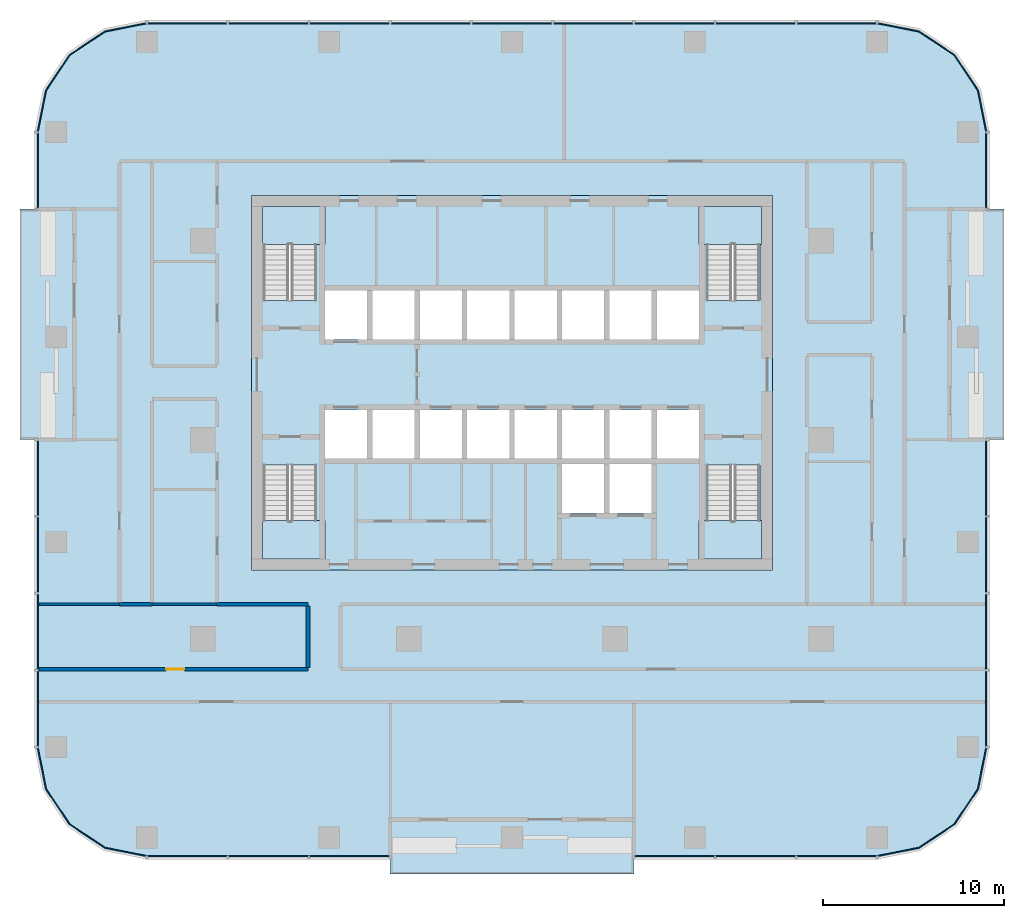
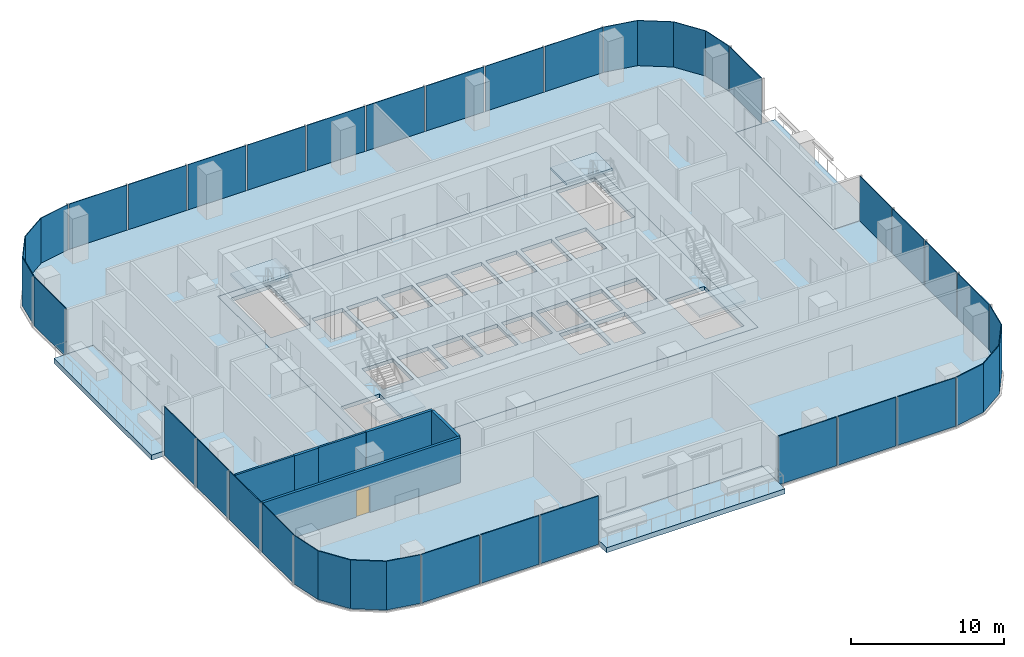
# One storey, part 6 of 14: 29 plates, 9 slabs, 6 walls, 1 door, 1 opening, 15 elements without a shape of their own.
"""IFC4 building model written with IfcOpenShell, lengths in metres."""

import ifcopenshell
import ifcopenshell.guid

model = None  # the IFC model being written
_history = None  # IfcOwnerHistory: only IFC2X3 demands one
_inside = {}  # id of a spatial element -> (the spatial element, [elements in it])
_under = {}  # id of a project, library or spatial element -> (it, [spatial elements below it])
_declared = {}  # id of a project -> (the project, [libraries it declares])
_typed = {}  # id of a type object -> (the type object, [elements of that type])
_made_of = {}  # id of a material, layer set ... -> (it, [elements and type objects made of it])


def new_model(schema):
    """Start an empty IFC model of exactly this schema.

    Asked for "IFC4X3", IfcOpenShell would pick the latest addendum, in which some entities
    have other attributes; the version numbers below select the first issue.
    IFC2X3 requires an IfcOwnerHistory on every rooted entity: one is made here for all.
    """
    global model, _history
    if schema == "IFC4X3":
        model = ifcopenshell.file(schema_version=(4, 3, 0, 0))
    else:
        model = ifcopenshell.file(schema=schema)
    _inside.clear()
    _under.clear()
    _declared.clear()
    _typed.clear()
    _made_of.clear()
    _history = None
    if model.schema == "IFC2X3":
        org = make("IfcOrganization", Name="unknown")
        user = make(
            "IfcPersonAndOrganization",
            ThePerson=make("IfcPerson", FamilyName="unknown"),
            TheOrganization=org,
        )
        app = make(
            "IfcApplication",
            ApplicationDeveloper=org,
            Version="unknown",
            ApplicationFullName="unknown",
            ApplicationIdentifier="unknown",
        )
        _history = make(
            "IfcOwnerHistory",
            OwningUser=user,
            OwningApplication=app,
            ChangeAction="ADDED",
            CreationDate=0,
        )
    return model


def make(cls, **values):
    """One entity of the class cls with the attributes given. An attribute that is None is left unset."""
    return model.create_entity(
        cls, **{name: value for name, value in values.items() if value is not None}
    )


def rooted(cls, **values):
    """An entity with a GlobalId (a new one), such as an element, a storey or a relation."""
    return make(cls, GlobalId=ifcopenshell.guid.new(), OwnerHistory=_history, **values)


def si_unit(unit_type, name, prefix=None):
    """IfcSIUnit, for example si_unit("LENGTHUNIT", "METRE", prefix="MILLI")."""
    return make("IfcSIUnit", UnitType=unit_type, Prefix=prefix, Name=name)


def assignment(units):
    """IfcUnitAssignment: the units of a project."""
    return None if units is None else make("IfcUnitAssignment", Units=units)


def point(xyz):
    """IfcCartesianPoint."""
    return None if xyz is None else make("IfcCartesianPoint", Coordinates=xyz)


def direction(xyz):
    """IfcDirection."""
    return None if xyz is None else make("IfcDirection", DirectionRatios=xyz)


def frame(location, z_axis=None, x_axis=None):
    """IfcAxis2Placement3D, a coordinate frame: its origin and axes. An axis left out is left unset."""
    return make(
        "IfcAxis2Placement3D",
        Location=point(location),
        Axis=direction(z_axis),
        RefDirection=direction(x_axis),
    )


def frame_2d(location, x_axis=None):
    """IfcAxis2Placement2D, a coordinate frame in the plane: its origin and x axis."""
    return make(
        "IfcAxis2Placement2D", Location=point(location), RefDirection=direction(x_axis)
    )


def origin():
    """The frame at (0, 0, 0) with its axes left unset."""
    return frame((0.0, 0.0, 0.0))


def origin_2d():
    """The frame at (0, 0) in the plane with its x axis left unset."""
    return frame_2d((0.0, 0.0))


def place(relative_to, where):
    """IfcLocalPlacement: puts the frame where relative to a parent placement (None: the world)."""
    return make(
        "IfcLocalPlacement", PlacementRelTo=relative_to, RelativePlacement=where
    )


def context(
    kind, dimensions, precision=None, world=None, true_north=None, identifier=None
):
    """IfcGeometricRepresentationContext, for example the 3D "Model" context."""
    return make(
        "IfcGeometricRepresentationContext",
        ContextIdentifier=identifier,
        ContextType=kind,
        CoordinateSpaceDimension=dimensions,
        Precision=precision,
        WorldCoordinateSystem=world,
        TrueNorth=true_north,
    )


def subcontext(parent, identifier, kind, view, scale=None):
    """IfcGeometricRepresentationSubContext, for example "Body" below "Model"."""
    return make(
        "IfcGeometricRepresentationSubContext",
        ContextIdentifier=identifier,
        ContextType=kind,
        ParentContext=parent,
        TargetScale=scale,
        TargetView=view,
    )


def project(units=None, contexts=None):
    """IfcProject with its units and contexts."""
    return rooted(
        "IfcProject",
        Name="project",
        RepresentationContexts=contexts,
        UnitsInContext=assignment(units),
    )


def spatial(cls, under=None, at=None, **own):
    """A site, building, storey or space (cls), placed at a placement, below another one or the project."""
    s = rooted(cls, ObjectPlacement=at, **own)
    if under is not None:
        _under.setdefault(under.id(), (under, []))[1].append(s)
    return s


def polyline(points):
    """IfcPolyline through the points."""
    return make("IfcPolyline", Points=[point(p) for p in points])


def profile(cls, at=None, kind="AREA", **sizes):
    """A parametric profile (cls). Its sizes go by their IFC names, for example OverallWidth=200.0."""
    return make(cls, ProfileType=kind, Position=at, **sizes)


def rectangle(**sizes):
    """IfcRectangleProfileDef."""
    return profile("IfcRectangleProfileDef", **sizes)


def outline(outer, holes=None, kind="AREA"):
    """IfcArbitraryClosedProfileDef: a profile drawn as a closed curve; with holes, ...WithVoids."""
    if holes is None:
        return make("IfcArbitraryClosedProfileDef", ProfileType=kind, OuterCurve=outer)
    return make(
        "IfcArbitraryProfileDefWithVoids",
        ProfileType=kind,
        OuterCurve=outer,
        InnerCurves=holes,
    )


def extrude(swept, where, along, depth):
    """IfcExtrudedAreaSolid: the profile swept, set in the frame where, extruded along a direction by depth."""
    return make(
        "IfcExtrudedAreaSolid",
        SweptArea=swept,
        Position=where,
        ExtrudedDirection=direction(along),
        Depth=depth,
    )


def shape(context_of_items, identifier, shape_type, items):
    """IfcShapeRepresentation: the items that make up one representation, for example the "Body"."""
    return make(
        "IfcShapeRepresentation",
        ContextOfItems=context_of_items,
        RepresentationIdentifier=identifier,
        RepresentationType=shape_type,
        Items=items,
    )


def material(Name=None, Category=None):
    """IfcMaterial."""
    return make("IfcMaterial", Name=Name, Category=Category)


def layer(
    of_material, thickness, ventilated=None, Name=None, Category=None, Priority=None
):
    """IfcMaterialLayer: one layer of a wall or slab, of a material (None: an air gap)."""
    return make(
        "IfcMaterialLayer",
        Material=of_material,
        LayerThickness=thickness,
        IsVentilated=ventilated,
        Name=Name,
        Category=Category,
        Priority=Priority,
    )


def layer_set(layers, Name=None):
    """IfcMaterialLayerSet."""
    return make("IfcMaterialLayerSet", MaterialLayers=layers, LayerSetName=Name)


def made_of(thing, what):
    """Note that an element or type object is made of a material, layer set ...; save() writes the relation."""
    if what is not None:
        _made_of.setdefault(what.id(), (what, []))[1].append(thing)
    return thing


def type_object(cls, material=None, **own):
    """A type object (cls), such as IfcWallType, which elements share."""
    return made_of(rooted(cls, **own), material)


def element(
    cls,
    number,
    at=None,
    inside=None,
    cuts=None,
    type_object=None,
    material=None,
    context=None,
    identifier="Body",
    shape_type=None,
    held_by="IfcProductDefinitionShape",
    body=None,
    shapes=None,
    **own,
):
    """One element of the class cls, such as IfcWall. Its Tag is "e" and its number.

    at: its placement. inside: the storey or other place that contains it. cuts: it is an
    opening in that element (IfcRelVoidsElement). A single representation is given by context,
    identifier, shape_type and body (its items); several are given by shapes. held_by: the class
    of the entity that holds the representations. save() writes the other relations.
    """
    e = rooted(cls, Tag="e%d" % number, ObjectPlacement=at, **own)
    if body is not None:
        shapes = [shape(context, identifier, shape_type, body)]
    if shapes is not None:
        e.Representation = make(held_by, Representations=shapes)
    if inside is not None:
        _inside.setdefault(inside.id(), (inside, []))[1].append(e)
    if cuts is not None:
        rooted(
            "IfcRelVoidsElement", RelatingBuildingElement=cuts, RelatedOpeningElement=e
        )
    if type_object is not None:
        _typed.setdefault(type_object.id(), (type_object, []))[1].append(e)
    return made_of(e, material)


def fill(opening, filler):
    """IfcRelFillsElement: the door or window that sits in an opening."""
    return rooted(
        "IfcRelFillsElement",
        RelatingOpeningElement=opening,
        RelatedBuildingElement=filler,
    )


def aggregate(whole, parts):
    """IfcRelAggregates: a whole, such as a stair, and the parts it consists of."""
    return rooted("IfcRelAggregates", RelatingObject=whole, RelatedObjects=parts)


def save(model, path):
    """Write the relations noted so far, then the file.

    IfcRelAggregates (storeys below a building ...), IfcRelContainedInSpatialStructure (elements
    in a storey), IfcRelDefinesByType, IfcRelAssociatesMaterial and IfcRelDeclares: one each for
    every whole, place, type object, material and project.
    """
    for whole, parts in _under.values():
        aggregate(whole, parts)
    for where, things in _inside.values():
        rooted(
            "IfcRelContainedInSpatialStructure",
            RelatedElements=things,
            RelatingStructure=where,
        )
    for kind, things in _typed.values():
        rooted("IfcRelDefinesByType", RelatedObjects=things, RelatingType=kind)
    for what, things in _made_of.values():
        rooted("IfcRelAssociatesMaterial", RelatedObjects=things, RelatingMaterial=what)
    for by, libraries in _declared.values():
        rooted("IfcRelDeclares", RelatingContext=by, RelatedDefinitions=libraries)
    model.write(path)


model = new_model("IFC4")

# Units and contexts
model_context = context("Model", 3, precision=1e-05, world=origin(), true_north=direction((0.0, 1.0)))
body_context = subcontext(model_context, "Body", "Model", "MODEL_VIEW")
ifc_project = project(units=[si_unit("LENGTHUNIT", "METRE"), si_unit("AREAUNIT", "SQUARE_METRE"), si_unit("VOLUMEUNIT", "CUBIC_METRE"), si_unit("PLANEANGLEUNIT", "RADIAN"), si_unit("MASSUNIT", "GRAM", prefix="KILO")], contexts=[model_context])

# Site, building, storey
site_placement = place(None, origin())
site = spatial("IfcSite", under=ifc_project, at=site_placement, CompositionType="ELEMENT")
building_placement = place(site_placement, origin())
building = spatial("IfcBuilding", under=site, at=building_placement, Name="Mopane Tessera Tower", CompositionType="ELEMENT")
storey_placement = place(building_placement, frame((0.0, 0.0, 165.0)))
storey = spatial("IfcBuildingStorey", under=building, at=storey_placement, Name="L33", CompositionType="ELEMENT", Elevation=165.0)

# Slab
ifc_material_1 = material(Name="Concrete C40/50", Category="concrete")
ifc_layer_1 = layer(ifc_material_1, 0.300048828125)
ifc_layer_set_1 = layer_set([ifc_layer_1], Name="Concrete C40/50")
slab_type_1 = type_object("IfcSlabType", Name="Core floor slab 300 mm", PredefinedType="FLOOR", material=ifc_layer_set_1)
slab_1_placement = place(storey_placement, frame((0.0, 0.0, -0.300048828125)))
element("IfcSlab", 1, at=slab_1_placement, inside=storey, type_object=slab_type_1, Name="L33 core floor slab", PredefinedType="FLOOR", context=body_context, shape_type="SweptSolid", body=[
    extrude(outline(polyline([(-14.39990234375, -7.199951171875), (14.39990234375, -7.199951171875), (14.39990234375, 13.5), (-14.39990234375, 13.5), (-14.39990234375, -7.199951171875)]), holes=[polyline([(-10.35009765625, -1.050048828125), (-8.02490234375, -1.050048828125), (-8.02490234375, 1.64990234375), (-10.35009765625, 1.64990234375), (-10.35009765625, -1.050048828125)]), polyline([(-7.72509765625, -1.050048828125), (-5.39990234375, -1.050048828125), (-5.39990234375, 1.64990234375), (-7.72509765625, 1.64990234375), (-7.72509765625, -1.050048828125)]), polyline([(-5.10009765625, -1.050048828125), (-2.77490234375, -1.050048828125), (-2.77490234375, 1.64990234375), (-5.10009765625, 1.64990234375), (-5.10009765625, -1.050048828125)]), polyline([(-2.47509765625, -1.050048828125), (-0.14990234375, -1.050048828125), (-0.14990234375, 1.64990234375), (-2.47509765625, 1.64990234375), (-2.47509765625, -1.050048828125)]), polyline([(0.14990234375, -1.050048828125), (2.47509765625, -1.050048828125), (2.47509765625, 1.64990234375), (0.14990234375, 1.64990234375), (0.14990234375, -1.050048828125)]), polyline([(2.77490234375, -1.050048828125), (5.10009765625, -1.050048828125), (5.10009765625, 1.64990234375), (2.77490234375, 1.64990234375), (2.77490234375, -1.050048828125)]), polyline([(5.39990234375, -1.050048828125), (7.72509765625, -1.050048828125), (7.72509765625, 1.64990234375), (5.39990234375, 1.64990234375), (5.39990234375, -1.050048828125)]), polyline([(8.02490234375, -1.050048828125), (10.35009765625, -1.050048828125), (10.35009765625, 1.64990234375), (8.02490234375, 1.64990234375), (8.02490234375, -1.050048828125)]), polyline([(-10.35009765625, 5.550048828125), (-8.02490234375, 5.550048828125), (-8.02490234375, 8.25), (-10.35009765625, 8.25), (-10.35009765625, 5.550048828125)]), polyline([(-7.72509765625, 5.550048828125), (-5.39990234375, 5.550048828125), (-5.39990234375, 8.25), (-7.72509765625, 8.25), (-7.72509765625, 5.550048828125)]), polyline([(-5.10009765625, 5.550048828125), (-2.77490234375, 5.550048828125), (-2.77490234375, 8.25), (-5.10009765625, 8.25), (-5.10009765625, 5.550048828125)]), polyline([(-2.47509765625, 5.550048828125), (-0.14990234375, 5.550048828125), (-0.14990234375, 8.25), (-2.47509765625, 8.25), (-2.47509765625, 5.550048828125)]), polyline([(0.14990234375, 5.550048828125), (2.47509765625, 5.550048828125), (2.47509765625, 8.25), (0.14990234375, 8.25), (0.14990234375, 5.550048828125)]), polyline([(2.77490234375, 5.550048828125), (5.10009765625, 5.550048828125), (5.10009765625, 8.25), (2.77490234375, 8.25), (2.77490234375, 5.550048828125)]), polyline([(5.39990234375, 5.550048828125), (7.72509765625, 5.550048828125), (7.72509765625, 8.25), (5.39990234375, 8.25), (5.39990234375, 5.550048828125)]), polyline([(8.02490234375, 5.550048828125), (10.35009765625, 5.550048828125), (10.35009765625, 8.25), (8.02490234375, 8.25), (8.02490234375, 5.550048828125)]), polyline([(2.77490234375, -4.050048828125), (5.10009765625, -4.050048828125), (5.10009765625, -1.35009765625), (2.77490234375, -1.35009765625), (2.77490234375, -4.050048828125)]), polyline([(5.39990234375, -4.050048828125), (7.72509765625, -4.050048828125), (7.72509765625, -1.35009765625), (5.39990234375, -1.35009765625), (5.39990234375, -4.050048828125)]), polyline([(-13.75, -1.405029296875), (-13.75, -6.60009765625), (-10.800048828125, -6.60009765625), (-10.800048828125, -1.405029296875), (-13.75, -1.405029296875)]), polyline([(-10.800048828125, 7.705078125), (-10.800048828125, 12.89990234375), (-13.75, 12.89990234375), (-13.75, 7.705078125), (-10.800048828125, 7.705078125)]), polyline([(10.75, -1.405029296875), (10.75, -6.60009765625), (13.699951171875, -6.60009765625), (13.699951171875, -1.405029296875), (10.75, -1.405029296875)]), polyline([(13.699951171875, 7.705078125), (13.699951171875, 12.89990234375), (10.75, 12.89990234375), (10.75, 7.705078125), (13.699951171875, 7.705078125)])]), origin(), (0.0, 0.0, 1.0), 0.300048828125),
])

# Stair, slab
ifc_material_2 = material(Name="Concrete C50/60", Category="concrete")
stair_type = type_object("IfcStairType", Name="Escape stair 1400 mm, riser 167 mm", PredefinedType="HALF_TURN_STAIR", material=ifc_material_2)
stair_1_placement = place(storey_placement, origin())
stair_1 = element("IfcStair", 2, at=stair_1_placement, inside=storey, type_object=stair_type, Name="L33 Escape stair south-west", PredefinedType="HALF_TURN_STAIR")
ifc_material_3 = material(Name="Concrete C50/60", Category="concrete")
ifc_layer_2 = layer(ifc_material_3, 0.199951171875)
ifc_layer_set_2 = layer_set([ifc_layer_2], Name="Concrete C50/60")
slab_type_2 = type_object("IfcSlabType", Name="Escape stair landing 200 mm", PredefinedType="LANDING", material=ifc_layer_set_2)
slab_2_placement = place(storey_placement, frame((0.0, 0.0, 1.800048828125)))
slab_2 = element("IfcSlab", 3, at=slab_2_placement, type_object=slab_type_2, Name="ST1 landing 1", PredefinedType="LANDING", context=body_context, shape_type="SweptSolid", body=[
    extrude(outline(polyline([(-13.800048828125, -4.47998046875), (-13.800048828125, -6.60009765625), (-10.35009765625, -6.60009765625), (-10.35009765625, -4.47998046875), (-13.800048828125, -4.47998046875)])), origin(), (0.0, 0.0, 1.0), 0.199951171875),
])
aggregate(stair_1, [slab_2])

stair_2_placement = place(storey_placement, origin())
stair_2 = element("IfcStair", 4, at=stair_2_placement, inside=storey, type_object=stair_type, Name="L33 Escape stair north-west", PredefinedType="HALF_TURN_STAIR")
slab_3_placement = place(storey_placement, frame((0.0, 0.0, 1.800048828125)))
slab_3 = element("IfcSlab", 5, at=slab_3_placement, type_object=slab_type_2, Name="ST2 landing 1", PredefinedType="LANDING", context=body_context, shape_type="SweptSolid", body=[
    extrude(outline(polyline([(-10.35009765625, 10.780029296875), (-10.35009765625, 12.89990234375), (-13.800048828125, 12.89990234375), (-13.800048828125, 10.780029296875), (-10.35009765625, 10.780029296875)])), origin(), (0.0, 0.0, 1.0), 0.199951171875),
])
aggregate(stair_2, [slab_3])

stair_3_placement = place(storey_placement, origin())
stair_3 = element("IfcStair", 6, at=stair_3_placement, inside=storey, type_object=stair_type, Name="L33 Escape stair south-east", PredefinedType="HALF_TURN_STAIR")
slab_4_placement = place(storey_placement, frame((0.0, 0.0, 1.800048828125)))
slab_4 = element("IfcSlab", 7, at=slab_4_placement, type_object=slab_type_2, Name="ST3 landing 1", PredefinedType="LANDING", context=body_context, shape_type="SweptSolid", body=[
    extrude(outline(polyline([(10.35009765625, -4.47998046875), (10.35009765625, -6.60009765625), (13.800048828125, -6.60009765625), (13.800048828125, -4.47998046875), (10.35009765625, -4.47998046875)])), origin(), (0.0, 0.0, 1.0), 0.199951171875),
])
aggregate(stair_3, [slab_4])

stair_4_placement = place(storey_placement, origin())
stair_4 = element("IfcStair", 8, at=stair_4_placement, inside=storey, type_object=stair_type, Name="L33 Escape stair north-east", PredefinedType="HALF_TURN_STAIR")
slab_5_placement = place(storey_placement, frame((0.0, 0.0, 1.800048828125)))
slab_5 = element("IfcSlab", 9, at=slab_5_placement, type_object=slab_type_2, Name="ST4 landing 1", PredefinedType="LANDING", context=body_context, shape_type="SweptSolid", body=[
    extrude(outline(polyline([(13.800048828125, 10.780029296875), (13.800048828125, 12.89990234375), (10.35009765625, 12.89990234375), (10.35009765625, 10.780029296875), (13.800048828125, 10.780029296875)])), origin(), (0.0, 0.0, 1.0), 0.199951171875),
])
aggregate(stair_4, [slab_5])

# Slabs
ifc_material_4 = material(Name="Concrete C40/50", Category="concrete")
ifc_layer_3 = layer(ifc_material_4, 0.39990234375)
ifc_layer_set_3 = layer_set([ifc_layer_3], Name="Concrete C40/50")
slab_type_3 = type_object("IfcSlabType", Name="Planted terrace slab 400 mm", PredefinedType="FLOOR", material=ifc_layer_set_3)
slab_6_placement = place(storey_placement, frame((0.0, 0.0, -0.39990234375)))
element("IfcSlab", 10, at=slab_6_placement, inside=storey, type_object=slab_type_3, Name="Terrace slab N1 L33", PredefinedType="FLOOR", context=body_context, shape_type="SweptSolid", body=[
    extrude(outline(polyline([(-27.199951171875, 0.0), (-24.199951171875, 0.0), (-24.199951171875, 12.75), (-27.199951171875, 12.75), (-27.199951171875, 0.0)])), origin(), (0.0, 0.0, 1.0), 0.39990234375),
])
slab_7_placement = place(storey_placement, frame((0.0, 0.0, -0.39990234375)))
element("IfcSlab", 11, at=slab_7_placement, inside=storey, type_object=slab_type_3, Name="Terrace slab N2 L33", PredefinedType="FLOOR", context=body_context, shape_type="SweptSolid", body=[
    extrude(outline(polyline([(6.7333984375, -24.0), (6.7333984375, -21.0), (-6.7333984375, -21.0), (-6.7333984375, -24.0), (6.7333984375, -24.0)])), origin(), (0.0, 0.0, 1.0), 0.39990234375),
])
slab_8_placement = place(storey_placement, frame((0.0, 0.0, -0.39990234375)))
element("IfcSlab", 12, at=slab_8_placement, inside=storey, type_object=slab_type_3, Name="Terrace slab N3 L33", PredefinedType="FLOOR", context=body_context, shape_type="SweptSolid", body=[
    extrude(outline(polyline([(27.199951171875, 12.75), (24.199951171875, 12.75), (24.199951171875, 0.0), (27.199951171875, 0.0), (27.199951171875, 12.75)])), origin(), (0.0, 0.0, 1.0), 0.39990234375),
])
ifc_material_5 = material(Name="Concrete C40/50", Category="concrete")
ifc_layer_4 = layer(ifc_material_5, 0.39990234375)
ifc_layer_set_4 = layer_set([ifc_layer_4], Name="Concrete C40/50")
slab_type_4 = type_object("IfcSlabType", Name="Post-tensioned flat plate 400 mm", PredefinedType="FLOOR", material=ifc_layer_set_4)
slab_9_placement = place(storey_placement, frame((0.0, 0.0, -0.39990234375)))
element("IfcSlab", 13, at=slab_9_placement, inside=storey, type_object=slab_type_4, Name="Floor slab L33", PredefinedType="FLOOR", context=body_context, shape_type="SweptSolid", body=[
    extrude(outline(polyline([(-20.199951171875, -23.0), (-6.7333984375, -23.0), (-6.7333984375, -21.0), (6.7333984375, -21.0), (6.7333984375, -23.0), (20.199951171875, -23.0), (22.49609375, -22.543212890625), (24.442626953125, -21.24267578125), (25.7431640625, -19.296142578125), (26.199951171875, -17.0), (26.199951171875, 0.0), (24.199951171875, 0.0), (24.199951171875, 12.75), (26.199951171875, 12.75), (26.199951171875, 17.0), (25.7431640625, 19.296142578125), (24.442626953125, 21.24267578125), (22.49609375, 22.543212890625), (20.199951171875, 23.0), (-20.199951171875, 23.0), (-22.49609375, 22.543212890625), (-24.442626953125, 21.24267578125), (-25.7431640625, 19.296142578125), (-26.199951171875, 17.0), (-26.199951171875, 12.75), (-24.199951171875, 12.75), (-24.199951171875, 0.0), (-26.199951171875, 0.0), (-26.199951171875, -17.0), (-25.7431640625, -19.296142578125), (-24.442626953125, -21.24267578125), (-22.49609375, -22.543212890625), (-20.199951171875, -23.0)]), holes=[polyline([(14.39990234375, -7.199951171875), (-14.39990234375, -7.199951171875), (-14.39990234375, 13.5), (14.39990234375, 13.5), (14.39990234375, -7.199951171875)])]), origin(), (0.0, 0.0, 1.0), 0.39990234375),
])

# Curtain wall, plates
ifc_material_6 = material(Name="Aluminium frame", Category="aluminium")
curtain_wall_type = type_object("IfcCurtainWallType", Name="Unitised curtain wall", PredefinedType="NOTDEFINED", material=ifc_material_6)
curtain_wall_1_placement = place(storey_placement, origin())
curtain_wall_1 = element("IfcCurtainWall", 14, at=curtain_wall_1_placement, inside=storey, type_object=curtain_wall_type, Name="e:cw:L33:S:0", PredefinedType="NOTDEFINED")
ifc_material_7 = material(Name="Clear laminated glass", Category="glass")
ifc_layer_5 = layer(ifc_material_7, 0.06005859375)
ifc_layer_set_5 = layer_set([ifc_layer_5], Name="Clear laminated glass")
plate_type = type_object("IfcPlateType", Name="Unitised glazed unit", PredefinedType="CURTAIN_PANEL", material=ifc_layer_set_5)
plate_1_placement = place(storey_placement, frame((-17.95556640625, -23.030029296875, -0.280029296875), z_axis=(0.0, 0.0, 1.0), x_axis=(1.0, 0.0, 0.0)))
plate_1 = element("IfcPlate", 15, at=plate_1_placement, type_object=plate_type, Name="e:cw:L33:S:0:pn0", PredefinedType="CURTAIN_PANEL", context=body_context, shape_type="SweptSolid", body=[
    extrude(rectangle(XDim=4.388916015625, YDim=0.06005859375, at=origin_2d()), origin(), (0.0, 0.0, 1.0), 3.8798828125),
])
plate_2_placement = place(storey_placement, frame((-13.466552734375, -23.030029296875, -0.280029296875), z_axis=(0.0, 0.0, 1.0), x_axis=(1.0, 0.0, 0.0)))
plate_2 = element("IfcPlate", 16, at=plate_2_placement, type_object=plate_type, Name="e:cw:L33:S:0:pn1", PredefinedType="CURTAIN_PANEL", context=body_context, shape_type="SweptSolid", body=[
    extrude(rectangle(XDim=4.388916015625, YDim=0.06005859375, at=origin_2d()), origin(), (0.0, 0.0, 1.0), 3.8798828125),
])
plate_3_placement = place(storey_placement, frame((-8.977783203125, -23.030029296875, -0.280029296875), z_axis=(0.0, 0.0, 1.0), x_axis=(1.0, 0.0, 0.0)))
plate_3 = element("IfcPlate", 17, at=plate_3_placement, type_object=plate_type, Name="e:cw:L33:S:0:pn2", PredefinedType="CURTAIN_PANEL", context=body_context, shape_type="SweptSolid", body=[
    extrude(rectangle(XDim=4.388916015625, YDim=0.06005859375, at=origin_2d()), origin(), (0.0, 0.0, 1.0), 3.8798828125),
])
aggregate(curtain_wall_1, [plate_1, plate_2, plate_3])

curtain_wall_2_placement = place(storey_placement, origin())
curtain_wall_2 = element("IfcCurtainWall", 18, at=curtain_wall_2_placement, inside=storey, type_object=curtain_wall_type, Name="e:cw:L33:S:6", PredefinedType="NOTDEFINED")
plate_4_placement = place(storey_placement, frame((8.977783203125, -23.030029296875, -0.280029296875), z_axis=(0.0, 0.0, 1.0), x_axis=(1.0, 0.0, 0.0)))
plate_4 = element("IfcPlate", 19, at=plate_4_placement, type_object=plate_type, Name="e:cw:L33:S:6:pn6", PredefinedType="CURTAIN_PANEL", context=body_context, shape_type="SweptSolid", body=[
    extrude(rectangle(XDim=4.388916015625, YDim=0.06005859375, at=origin_2d()), origin(), (0.0, 0.0, 1.0), 3.8798828125),
])
plate_5_placement = place(storey_placement, frame((13.466552734375, -23.030029296875, -0.280029296875), z_axis=(0.0, 0.0, 1.0), x_axis=(1.0, 0.0, 0.0)))
plate_5 = element("IfcPlate", 20, at=plate_5_placement, type_object=plate_type, Name="e:cw:L33:S:6:pn7", PredefinedType="CURTAIN_PANEL", context=body_context, shape_type="SweptSolid", body=[
    extrude(rectangle(XDim=4.388916015625, YDim=0.06005859375, at=origin_2d()), origin(), (0.0, 0.0, 1.0), 3.8798828125),
])
plate_6_placement = place(storey_placement, frame((17.95556640625, -23.030029296875, -0.280029296875), z_axis=(0.0, 0.0, 1.0), x_axis=(1.0, 0.0, 0.0)))
plate_6 = element("IfcPlate", 21, at=plate_6_placement, type_object=plate_type, Name="e:cw:L33:S:6:pn8", PredefinedType="CURTAIN_PANEL", context=body_context, shape_type="SweptSolid", body=[
    extrude(rectangle(XDim=4.388916015625, YDim=0.06005859375, at=origin_2d()), origin(), (0.0, 0.0, 1.0), 3.8798828125),
])
aggregate(curtain_wall_2, [plate_4, plate_5, plate_6])

# Curtain wall, plate
curtain_wall_3_placement = place(storey_placement, origin())
curtain_wall_3 = element("IfcCurtainWall", 22, at=curtain_wall_3_placement, inside=storey, type_object=curtain_wall_type, Name="e:cw:L33:CS", PredefinedType="NOTDEFINED")
plate_7_placement = place(storey_placement, frame((0.0, 0.0, -0.280029296875)))
plate_7 = element("IfcPlate", 23, at=plate_7_placement, type_object=plate_type, Name="e:cw:L33:CS:pn", PredefinedType="CURTAIN_PANEL", context=body_context, shape_type="SweptSolid", body=[
    extrude(outline(polyline([(20.199951171875, -23.0), (22.49609375, -22.543212890625), (24.442626953125, -21.24267578125), (25.7431640625, -19.296142578125), (26.199951171875, -17.0), (26.260009765625, -17.0), (25.798828125, -19.319091796875), (24.485107421875, -21.28515625), (22.51904296875, -22.5986328125), (20.199951171875, -23.06005859375), (20.199951171875, -23.0)])), origin(), (0.0, 0.0, 1.0), 3.880126953125),
])
aggregate(curtain_wall_3, [plate_7])

# Curtain wall, plates
curtain_wall_4_placement = place(storey_placement, origin())
curtain_wall_4 = element("IfcCurtainWall", 24, at=curtain_wall_4_placement, inside=storey, type_object=curtain_wall_type, Name="e:cw:L33:E:0", PredefinedType="NOTDEFINED")
plate_8_placement = place(storey_placement, frame((26.22998046875, -14.875, -0.280029296875), z_axis=(0.0, 0.0, 1.0), x_axis=(0.0, 1.0, 0.0)))
plate_8 = element("IfcPlate", 25, at=plate_8_placement, type_object=plate_type, Name="e:cw:L33:E:0:pn0", PredefinedType="CURTAIN_PANEL", context=body_context, shape_type="SweptSolid", body=[
    extrude(rectangle(XDim=4.14990234375, YDim=0.06005859375, at=origin_2d()), origin(), (0.0, 0.0, 1.0), 3.8798828125),
])
plate_9_placement = place(storey_placement, frame((26.22998046875, -10.625, -0.280029296875), z_axis=(0.0, 0.0, 1.0), x_axis=(0.0, 1.0, 0.0)))
plate_9 = element("IfcPlate", 26, at=plate_9_placement, type_object=plate_type, Name="e:cw:L33:E:0:pn1", PredefinedType="CURTAIN_PANEL", context=body_context, shape_type="SweptSolid", body=[
    extrude(rectangle(XDim=4.14990234375, YDim=0.06005859375, at=origin_2d()), origin(), (0.0, 0.0, 1.0), 3.8798828125),
])
plate_10_placement = place(storey_placement, frame((26.22998046875, -6.375, -0.280029296875), z_axis=(0.0, 0.0, 1.0), x_axis=(0.0, 1.0, 0.0)))
plate_10 = element("IfcPlate", 27, at=plate_10_placement, type_object=plate_type, Name="e:cw:L33:E:0:pn2", PredefinedType="CURTAIN_PANEL", context=body_context, shape_type="SweptSolid", body=[
    extrude(rectangle(XDim=4.14990234375, YDim=0.06005859375, at=origin_2d()), origin(), (0.0, 0.0, 1.0), 3.8798828125),
])
plate_11_placement = place(storey_placement, frame((26.22998046875, -2.125, -0.280029296875), z_axis=(0.0, 0.0, 1.0), x_axis=(0.0, 1.0, 0.0)))
plate_11 = element("IfcPlate", 28, at=plate_11_placement, type_object=plate_type, Name="e:cw:L33:E:0:pn3", PredefinedType="CURTAIN_PANEL", context=body_context, shape_type="SweptSolid", body=[
    extrude(rectangle(XDim=4.14990234375, YDim=0.06005859375, at=origin_2d()), origin(), (0.0, 0.0, 1.0), 3.8798828125),
])
aggregate(curtain_wall_4, [plate_8, plate_9, plate_10, plate_11])

# Curtain wall, plate
curtain_wall_5_placement = place(storey_placement, origin())
curtain_wall_5 = element("IfcCurtainWall", 29, at=curtain_wall_5_placement, inside=storey, type_object=curtain_wall_type, Name="e:cw:L33:E:7", PredefinedType="NOTDEFINED")
plate_12_placement = place(storey_placement, frame((26.22998046875, 14.875, -0.280029296875), z_axis=(0.0, 0.0, 1.0), x_axis=(0.0, 1.0, 0.0)))
plate_12 = element("IfcPlate", 30, at=plate_12_placement, type_object=plate_type, Name="e:cw:L33:E:7:pn7", PredefinedType="CURTAIN_PANEL", context=body_context, shape_type="SweptSolid", body=[
    extrude(rectangle(XDim=4.14990234375, YDim=0.06005859375, at=origin_2d()), origin(), (0.0, 0.0, 1.0), 3.8798828125),
])
aggregate(curtain_wall_5, [plate_12])

curtain_wall_6_placement = place(storey_placement, origin())
curtain_wall_6 = element("IfcCurtainWall", 31, at=curtain_wall_6_placement, inside=storey, type_object=curtain_wall_type, Name="e:cw:L33:CE", PredefinedType="NOTDEFINED")
plate_13_placement = place(storey_placement, frame((0.0, 0.0, -0.280029296875)))
plate_13 = element("IfcPlate", 32, at=plate_13_placement, type_object=plate_type, Name="e:cw:L33:CE:pn", PredefinedType="CURTAIN_PANEL", context=body_context, shape_type="SweptSolid", body=[
    extrude(outline(polyline([(26.199951171875, 17.0), (25.7431640625, 19.296142578125), (24.442626953125, 21.24267578125), (22.49609375, 22.543212890625), (20.199951171875, 23.0), (20.199951171875, 23.06005859375), (22.51904296875, 22.5986328125), (24.485107421875, 21.28515625), (25.798828125, 19.319091796875), (26.260009765625, 17.0), (26.199951171875, 17.0)])), origin(), (0.0, 0.0, 1.0), 3.880126953125),
])
aggregate(curtain_wall_6, [plate_13])

# Curtain wall, plates
curtain_wall_7_placement = place(storey_placement, origin())
curtain_wall_7 = element("IfcCurtainWall", 33, at=curtain_wall_7_placement, inside=storey, type_object=curtain_wall_type, Name="e:cw:L33:N:0", PredefinedType="NOTDEFINED")
plate_14_placement = place(storey_placement, frame((17.95556640625, 23.030029296875, -0.280029296875), z_axis=(0.0, 0.0, 1.0), x_axis=(-1.0, 0.0, 0.0)))
plate_14 = element("IfcPlate", 34, at=plate_14_placement, type_object=plate_type, Name="e:cw:L33:N:0:pn0", PredefinedType="CURTAIN_PANEL", context=body_context, shape_type="SweptSolid", body=[
    extrude(rectangle(XDim=4.388916015625, YDim=0.06005859375, at=origin_2d()), origin(), (0.0, 0.0, 1.0), 3.8798828125),
])
plate_15_placement = place(storey_placement, frame((13.466552734375, 23.030029296875, -0.280029296875), z_axis=(0.0, 0.0, 1.0), x_axis=(-1.0, 0.0, 0.0)))
plate_15 = element("IfcPlate", 35, at=plate_15_placement, type_object=plate_type, Name="e:cw:L33:N:0:pn1", PredefinedType="CURTAIN_PANEL", context=body_context, shape_type="SweptSolid", body=[
    extrude(rectangle(XDim=4.388916015625, YDim=0.06005859375, at=origin_2d()), origin(), (0.0, 0.0, 1.0), 3.8798828125),
])
plate_16_placement = place(storey_placement, frame((8.977783203125, 23.030029296875, -0.280029296875), z_axis=(0.0, 0.0, 1.0), x_axis=(-1.0, 0.0, 0.0)))
plate_16 = element("IfcPlate", 36, at=plate_16_placement, type_object=plate_type, Name="e:cw:L33:N:0:pn2", PredefinedType="CURTAIN_PANEL", context=body_context, shape_type="SweptSolid", body=[
    extrude(rectangle(XDim=4.388916015625, YDim=0.06005859375, at=origin_2d()), origin(), (0.0, 0.0, 1.0), 3.8798828125),
])
plate_17_placement = place(storey_placement, frame((4.48876953125, 23.030029296875, -0.280029296875), z_axis=(0.0, 0.0, 1.0), x_axis=(-1.0, 0.0, 0.0)))
plate_17 = element("IfcPlate", 37, at=plate_17_placement, type_object=plate_type, Name="e:cw:L33:N:0:pn3", PredefinedType="CURTAIN_PANEL", context=body_context, shape_type="SweptSolid", body=[
    extrude(rectangle(XDim=4.388916015625, YDim=0.06005859375, at=origin_2d()), origin(), (0.0, 0.0, 1.0), 3.8798828125),
])
plate_18_placement = place(storey_placement, frame((0.0, 23.030029296875, -0.280029296875), z_axis=(0.0, 0.0, 1.0), x_axis=(-1.0, 0.0, 0.0)))
plate_18 = element("IfcPlate", 38, at=plate_18_placement, type_object=plate_type, Name="e:cw:L33:N:0:pn4", PredefinedType="CURTAIN_PANEL", context=body_context, shape_type="SweptSolid", body=[
    extrude(rectangle(XDim=4.388916015625, YDim=0.06005859375, at=origin_2d()), origin(), (0.0, 0.0, 1.0), 3.8798828125),
])
plate_19_placement = place(storey_placement, frame((-4.48876953125, 23.030029296875, -0.280029296875), z_axis=(0.0, 0.0, 1.0), x_axis=(-1.0, 0.0, 0.0)))
plate_19 = element("IfcPlate", 39, at=plate_19_placement, type_object=plate_type, Name="e:cw:L33:N:0:pn5", PredefinedType="CURTAIN_PANEL", context=body_context, shape_type="SweptSolid", body=[
    extrude(rectangle(XDim=4.388916015625, YDim=0.06005859375, at=origin_2d()), origin(), (0.0, 0.0, 1.0), 3.8798828125),
])
plate_20_placement = place(storey_placement, frame((-8.977783203125, 23.030029296875, -0.280029296875), z_axis=(0.0, 0.0, 1.0), x_axis=(-1.0, 0.0, 0.0)))
plate_20 = element("IfcPlate", 40, at=plate_20_placement, type_object=plate_type, Name="e:cw:L33:N:0:pn6", PredefinedType="CURTAIN_PANEL", context=body_context, shape_type="SweptSolid", body=[
    extrude(rectangle(XDim=4.388916015625, YDim=0.06005859375, at=origin_2d()), origin(), (0.0, 0.0, 1.0), 3.8798828125),
])
plate_21_placement = place(storey_placement, frame((-13.466552734375, 23.030029296875, -0.280029296875), z_axis=(0.0, 0.0, 1.0), x_axis=(-1.0, 0.0, 0.0)))
plate_21 = element("IfcPlate", 41, at=plate_21_placement, type_object=plate_type, Name="e:cw:L33:N:0:pn7", PredefinedType="CURTAIN_PANEL", context=body_context, shape_type="SweptSolid", body=[
    extrude(rectangle(XDim=4.388916015625, YDim=0.06005859375, at=origin_2d()), origin(), (0.0, 0.0, 1.0), 3.8798828125),
])
plate_22_placement = place(storey_placement, frame((-17.95556640625, 23.030029296875, -0.280029296875), z_axis=(0.0, 0.0, 1.0), x_axis=(-1.0, 0.0, 0.0)))
plate_22 = element("IfcPlate", 42, at=plate_22_placement, type_object=plate_type, Name="e:cw:L33:N:0:pn8", PredefinedType="CURTAIN_PANEL", context=body_context, shape_type="SweptSolid", body=[
    extrude(rectangle(XDim=4.388916015625, YDim=0.06005859375, at=origin_2d()), origin(), (0.0, 0.0, 1.0), 3.8798828125),
])
aggregate(curtain_wall_7, [plate_14, plate_15, plate_16, plate_17, plate_18, plate_19, plate_20, plate_21, plate_22])

# Curtain wall, plate
curtain_wall_8_placement = place(storey_placement, origin())
curtain_wall_8 = element("IfcCurtainWall", 43, at=curtain_wall_8_placement, inside=storey, type_object=curtain_wall_type, Name="e:cw:L33:CN", PredefinedType="NOTDEFINED")
plate_23_placement = place(storey_placement, frame((0.0, 0.0, -0.280029296875)))
plate_23 = element("IfcPlate", 44, at=plate_23_placement, type_object=plate_type, Name="e:cw:L33:CN:pn", PredefinedType="CURTAIN_PANEL", context=body_context, shape_type="SweptSolid", body=[
    extrude(outline(polyline([(-20.199951171875, 23.0), (-22.49609375, 22.543212890625), (-24.442626953125, 21.24267578125), (-25.7431640625, 19.296142578125), (-26.199951171875, 17.0), (-26.260009765625, 17.0), (-25.798828125, 19.319091796875), (-24.485107421875, 21.28515625), (-22.51904296875, 22.5986328125), (-20.199951171875, 23.06005859375), (-20.199951171875, 23.0)])), origin(), (0.0, 0.0, 1.0), 3.880126953125),
])
aggregate(curtain_wall_8, [plate_23])

curtain_wall_9_placement = place(storey_placement, origin())
curtain_wall_9 = element("IfcCurtainWall", 45, at=curtain_wall_9_placement, inside=storey, type_object=curtain_wall_type, Name="e:cw:L33:W:0", PredefinedType="NOTDEFINED")
plate_24_placement = place(storey_placement, frame((-26.22998046875, 14.875, -0.280029296875), z_axis=(0.0, 0.0, 1.0), x_axis=(0.0, -1.0, 0.0)))
plate_24 = element("IfcPlate", 46, at=plate_24_placement, type_object=plate_type, Name="e:cw:L33:W:0:pn0", PredefinedType="CURTAIN_PANEL", context=body_context, shape_type="SweptSolid", body=[
    extrude(rectangle(XDim=4.14990234375, YDim=0.06005859375, at=origin_2d()), origin(), (0.0, 0.0, 1.0), 3.8798828125),
])
aggregate(curtain_wall_9, [plate_24])

# Curtain wall, plates
curtain_wall_10_placement = place(storey_placement, origin())
curtain_wall_10 = element("IfcCurtainWall", 47, at=curtain_wall_10_placement, inside=storey, type_object=curtain_wall_type, Name="e:cw:L33:W:4", PredefinedType="NOTDEFINED")
plate_25_placement = place(storey_placement, frame((-26.22998046875, -2.125, -0.280029296875), z_axis=(0.0, 0.0, 1.0), x_axis=(0.0, -1.0, 0.0)))
plate_25 = element("IfcPlate", 48, at=plate_25_placement, type_object=plate_type, Name="e:cw:L33:W:4:pn4", PredefinedType="CURTAIN_PANEL", context=body_context, shape_type="SweptSolid", body=[
    extrude(rectangle(XDim=4.14990234375, YDim=0.06005859375, at=origin_2d()), origin(), (0.0, 0.0, 1.0), 3.8798828125),
])
plate_26_placement = place(storey_placement, frame((-26.22998046875, -6.375, -0.280029296875), z_axis=(0.0, 0.0, 1.0), x_axis=(0.0, -1.0, 0.0)))
plate_26 = element("IfcPlate", 49, at=plate_26_placement, type_object=plate_type, Name="e:cw:L33:W:4:pn5", PredefinedType="CURTAIN_PANEL", context=body_context, shape_type="SweptSolid", body=[
    extrude(rectangle(XDim=4.14990234375, YDim=0.06005859375, at=origin_2d()), origin(), (0.0, 0.0, 1.0), 3.8798828125),
])
plate_27_placement = place(storey_placement, frame((-26.22998046875, -10.625, -0.280029296875), z_axis=(0.0, 0.0, 1.0), x_axis=(0.0, -1.0, 0.0)))
plate_27 = element("IfcPlate", 50, at=plate_27_placement, type_object=plate_type, Name="e:cw:L33:W:4:pn6", PredefinedType="CURTAIN_PANEL", context=body_context, shape_type="SweptSolid", body=[
    extrude(rectangle(XDim=4.14990234375, YDim=0.06005859375, at=origin_2d()), origin(), (0.0, 0.0, 1.0), 3.8798828125),
])
plate_28_placement = place(storey_placement, frame((-26.22998046875, -14.875, -0.280029296875), z_axis=(0.0, 0.0, 1.0), x_axis=(0.0, -1.0, 0.0)))
plate_28 = element("IfcPlate", 51, at=plate_28_placement, type_object=plate_type, Name="e:cw:L33:W:4:pn7", PredefinedType="CURTAIN_PANEL", context=body_context, shape_type="SweptSolid", body=[
    extrude(rectangle(XDim=4.14990234375, YDim=0.06005859375, at=origin_2d()), origin(), (0.0, 0.0, 1.0), 3.8798828125),
])
aggregate(curtain_wall_10, [plate_25, plate_26, plate_27, plate_28])

# Curtain wall, plate
curtain_wall_11_placement = place(storey_placement, origin())
curtain_wall_11 = element("IfcCurtainWall", 52, at=curtain_wall_11_placement, inside=storey, type_object=curtain_wall_type, Name="e:cw:L33:CW", PredefinedType="NOTDEFINED")
plate_29_placement = place(storey_placement, frame((0.0, 0.0, -0.280029296875)))
plate_29 = element("IfcPlate", 53, at=plate_29_placement, type_object=plate_type, Name="e:cw:L33:CW:pn", PredefinedType="CURTAIN_PANEL", context=body_context, shape_type="SweptSolid", body=[
    extrude(outline(polyline([(-26.199951171875, -17.0), (-25.7431640625, -19.296142578125), (-24.442626953125, -21.24267578125), (-22.49609375, -22.543212890625), (-20.199951171875, -23.0), (-20.199951171875, -23.06005859375), (-22.51904296875, -22.5986328125), (-24.485107421875, -21.28515625), (-25.798828125, -19.319091796875), (-26.260009765625, -17.0), (-26.199951171875, -17.0)])), origin(), (0.0, 0.0, 1.0), 3.880126953125),
])
aggregate(curtain_wall_11, [plate_29])

# Wall, opening, door
ifc_material_8 = material(Name="Gypsum board on steel studs, two layers each face, mineral wool infill", Category="steel")
ifc_layer_6 = layer(ifc_material_8, 0.199951171875)
ifc_layer_set_6 = layer_set([ifc_layer_6], Name="Gypsum board on steel studs, two layers each face, mineral wool infill")
wall_type_1 = type_object("IfcWallType", Name="Gypsum board corridor wall 200, rated EI 60", PredefinedType="PARTITIONING", material=ifc_layer_set_6)
wall_1_placement = place(storey_placement, frame((-26.14990234375, -12.699951171875, 0.0), z_axis=(0.0, 0.0, 1.0), x_axis=(1.0, 0.0, 0.0)))
wall_1 = element("IfcWall", 54, at=wall_1_placement, inside=storey, type_object=wall_type_1, Name="Partition L33:001", PredefinedType="PARTITIONING", context=body_context, shape_type="SweptSolid", body=[
    extrude(rectangle(XDim=14.869873046875, YDim=0.199951171875, at=frame_2d((7.43505859375, 0.0))), origin(), (0.0, 0.0, 1.0), 3.60009765625),
])
opening_placement = place(wall_1_placement, frame((7.034912109375, 0.0, 0.0)))
opening = element("IfcOpeningElement", 55, at=opening_placement, cuts=wall_1, Name="Opening L33-09", PredefinedType="OPENING", context=body_context, shape_type="SweptSolid", body=[
    extrude(rectangle(XDim=1.0, YDim=2.10009765625, at=frame_2d((0.5, 1.050048828125))), frame((0.0, 0.112060546875, 0.0), z_axis=(0.0, -1.0, 0.0), x_axis=(1.0, 0.0, 0.0)), (0.0, 0.0, 1.0), 0.223876953125),
])
ifc_material_9 = material(Name="Timber veneered steel-framed fire door", Category="steel")
door_type = type_object("IfcDoorType", Name="Fire door FD60 1000 x 2100", OperationType="SINGLE_SWING_LEFT", PredefinedType="DOOR", material=ifc_material_9)
door_placement = place(opening_placement, origin())
door = element("IfcDoor", 56, at=door_placement, inside=storey, type_object=door_type, Name="Door L33-09", ObjectType="D12A", OperationType="SINGLE_SWING_RIGHT", OverallHeight=2.10009765625, OverallWidth=1.0, PredefinedType="DOOR", context=body_context, shape_type="SweptSolid", body=[
    extrude(rectangle(XDim=1.0, YDim=2.10009765625, at=frame_2d((0.5, 1.050048828125))), frame((0.0, 0.02490234375, 0.0), z_axis=(0.0, -1.0, 0.0), x_axis=(1.0, 0.0, 0.0)), (0.0, 0.0, 1.0), 0.050048828125),
])
fill(opening, door)

# Walls
wall_2_placement = place(storey_placement, frame((-21.699951171875, -9.10009765625, 0.0), z_axis=(0.0, 0.0, 1.0), x_axis=(1.0, 0.0, 0.0)))
element("IfcWall", 57, at=wall_2_placement, inside=storey, type_object=wall_type_1, Name="Partition L33:007", PredefinedType="PARTITIONING", context=body_context, shape_type="SweptSolid", body=[
    extrude(rectangle(XDim=1.800048828125, YDim=0.199951171875, at=frame_2d((0.89990234375, 0.0))), origin(), (0.0, 0.0, 1.0), 3.60009765625),
])
wall_3_placement = place(storey_placement, frame((-16.300048828125, -9.10009765625, 0.0), z_axis=(0.0, 0.0, 1.0), x_axis=(1.0, 0.0, 0.0)))
element("IfcWall", 58, at=wall_3_placement, inside=storey, type_object=wall_type_1, Name="Partition L33:008", PredefinedType="PARTITIONING", context=body_context, shape_type="SweptSolid", body=[
    extrude(rectangle(XDim=5.02001953125, YDim=0.199951171875, at=frame_2d((2.510009765625, 0.0))), origin(), (0.0, 0.0, 1.0), 3.60009765625),
])
wall_4_placement = place(storey_placement, frame((-11.280029296875, -12.60009765625, 0.0), z_axis=(0.0, 0.0, 1.0), x_axis=(0.0, 1.0, 0.0)))
element("IfcWall", 59, at=wall_4_placement, inside=storey, type_object=wall_type_1, Name="Partition L33:034", PredefinedType="PARTITIONING", context=body_context, shape_type="SweptSolid", body=[
    extrude(rectangle(XDim=3.400146484375, YDim=0.199951171875, at=frame_2d((1.7001953125, 0.0))), origin(), (0.0, 0.0, 1.0), 3.60009765625),
])
ifc_material_10 = material(Name="Gypsum board on steel studs, mineral wool infill", Category="steel")
ifc_layer_7 = layer(ifc_material_10, 0.14990234375)
ifc_layer_set_7 = layer_set([ifc_layer_7], Name="Gypsum board on steel studs, mineral wool infill")
wall_type_2 = type_object("IfcWallType", Name="Gypsum board partition 150, rated EI 60", PredefinedType="PARTITIONING", material=ifc_layer_set_7)
wall_5_placement = place(storey_placement, frame((-26.14990234375, -9.10009765625, 0.0), z_axis=(0.0, 0.0, 1.0), x_axis=(1.0, 0.0, 0.0)))
element("IfcWall", 60, at=wall_5_placement, inside=storey, type_object=wall_type_2, Name="Partition L33:003", PredefinedType="PARTITIONING", context=body_context, shape_type="SweptSolid", body=[
    extrude(rectangle(XDim=4.449951171875, YDim=0.14990234375, at=frame_2d((2.22509765625, 0.0))), origin(), (0.0, 0.0, 1.0), 3.60009765625),
])
wall_6_placement = place(storey_placement, frame((-19.89990234375, -9.10009765625, 0.0), z_axis=(0.0, 0.0, 1.0), x_axis=(1.0, 0.0, 0.0)))
element("IfcWall", 61, at=wall_6_placement, inside=storey, type_object=wall_type_2, Name="Partition L33:004", PredefinedType="PARTITIONING", context=body_context, shape_type="SweptSolid", body=[
    extrude(rectangle(XDim=3.599853515625, YDim=0.14990234375, at=frame_2d((1.7998046875, 0.0))), origin(), (0.0, 0.0, 1.0), 3.60009765625),
])

save(model, "model.ifc")
